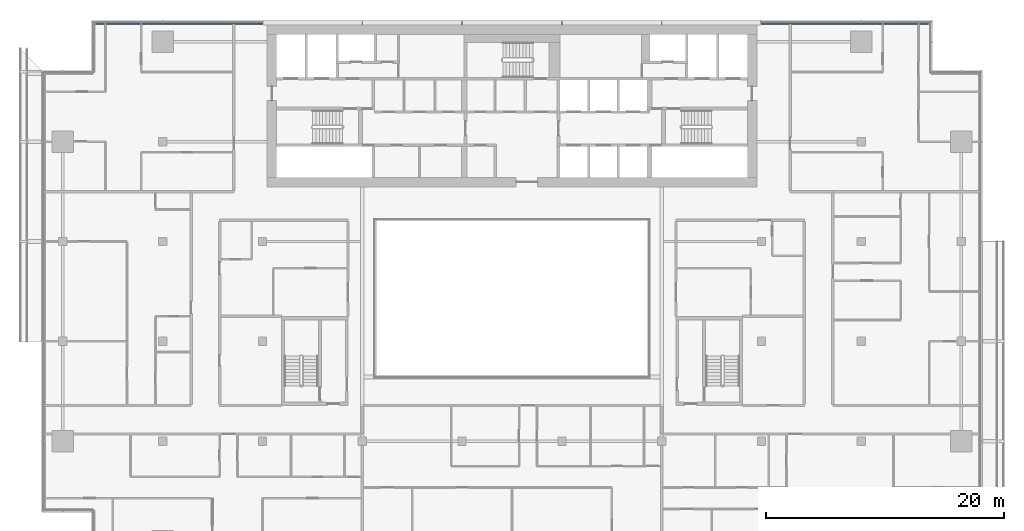
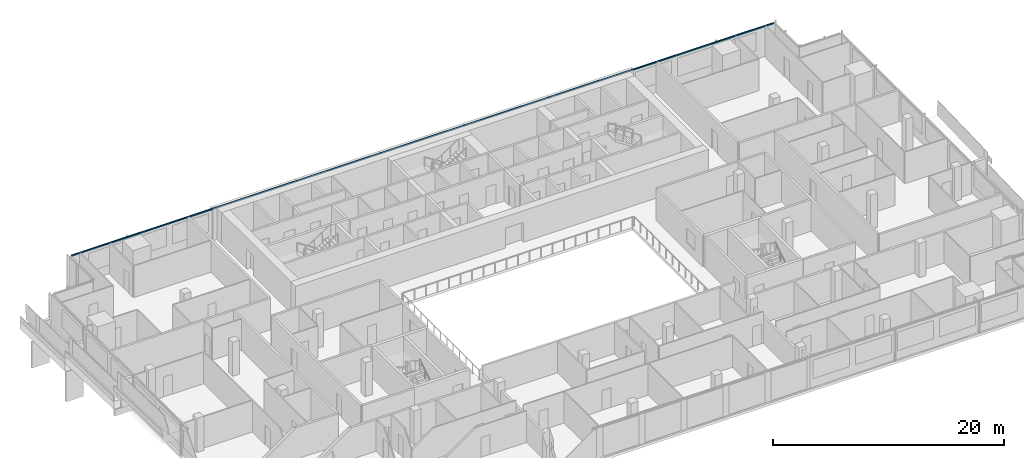
# One storey, part 8 of 27: 1 member, 1 element without a shape of its own.
"""IFC4 building model written with IfcOpenShell, lengths in metres."""

import ifcopenshell
import ifcopenshell.guid

model = None  # the IFC model being written
_history = None  # IfcOwnerHistory: only IFC2X3 demands one
_inside = {}  # id of a spatial element -> (the spatial element, [elements in it])
_under = {}  # id of a project, library or spatial element -> (it, [spatial elements below it])
_declared = {}  # id of a project -> (the project, [libraries it declares])
_typed = {}  # id of a type object -> (the type object, [elements of that type])
_made_of = {}  # id of a material, layer set ... -> (it, [elements and type objects made of it])


def new_model(schema):
    """Start an empty IFC model of exactly this schema.

    Asked for "IFC4X3", IfcOpenShell would pick the latest addendum, in which some entities
    have other attributes; the version numbers below select the first issue.
    IFC2X3 requires an IfcOwnerHistory on every rooted entity: one is made here for all.
    """
    global model, _history
    if schema == "IFC4X3":
        model = ifcopenshell.file(schema_version=(4, 3, 0, 0))
    else:
        model = ifcopenshell.file(schema=schema)
    _inside.clear()
    _under.clear()
    _declared.clear()
    _typed.clear()
    _made_of.clear()
    _history = None
    if model.schema == "IFC2X3":
        org = make("IfcOrganization", Name="unknown")
        user = make(
            "IfcPersonAndOrganization",
            ThePerson=make("IfcPerson", FamilyName="unknown"),
            TheOrganization=org,
        )
        app = make(
            "IfcApplication",
            ApplicationDeveloper=org,
            Version="unknown",
            ApplicationFullName="unknown",
            ApplicationIdentifier="unknown",
        )
        _history = make(
            "IfcOwnerHistory",
            OwningUser=user,
            OwningApplication=app,
            ChangeAction="ADDED",
            CreationDate=0,
        )
    return model


def make(cls, **values):
    """One entity of the class cls with the attributes given. An attribute that is None is left unset."""
    return model.create_entity(
        cls, **{name: value for name, value in values.items() if value is not None}
    )


def rooted(cls, **values):
    """An entity with a GlobalId (a new one), such as an element, a storey or a relation."""
    return make(cls, GlobalId=ifcopenshell.guid.new(), OwnerHistory=_history, **values)


def si_unit(unit_type, name, prefix=None):
    """IfcSIUnit, for example si_unit("LENGTHUNIT", "METRE", prefix="MILLI")."""
    return make("IfcSIUnit", UnitType=unit_type, Prefix=prefix, Name=name)


def assignment(units):
    """IfcUnitAssignment: the units of a project."""
    return None if units is None else make("IfcUnitAssignment", Units=units)


def point(xyz):
    """IfcCartesianPoint."""
    return None if xyz is None else make("IfcCartesianPoint", Coordinates=xyz)


def direction(xyz):
    """IfcDirection."""
    return None if xyz is None else make("IfcDirection", DirectionRatios=xyz)


def frame(location, z_axis=None, x_axis=None):
    """IfcAxis2Placement3D, a coordinate frame: its origin and axes. An axis left out is left unset."""
    return make(
        "IfcAxis2Placement3D",
        Location=point(location),
        Axis=direction(z_axis),
        RefDirection=direction(x_axis),
    )


def frame_2d(location, x_axis=None):
    """IfcAxis2Placement2D, a coordinate frame in the plane: its origin and x axis."""
    return make(
        "IfcAxis2Placement2D", Location=point(location), RefDirection=direction(x_axis)
    )


def origin():
    """The frame at (0, 0, 0) with its axes left unset."""
    return frame((0.0, 0.0, 0.0))


def origin_2d():
    """The frame at (0, 0) in the plane with its x axis left unset."""
    return frame_2d((0.0, 0.0))


def place(relative_to, where):
    """IfcLocalPlacement: puts the frame where relative to a parent placement (None: the world)."""
    return make(
        "IfcLocalPlacement", PlacementRelTo=relative_to, RelativePlacement=where
    )


def context(
    kind, dimensions, precision=None, world=None, true_north=None, identifier=None
):
    """IfcGeometricRepresentationContext, for example the 3D "Model" context."""
    return make(
        "IfcGeometricRepresentationContext",
        ContextIdentifier=identifier,
        ContextType=kind,
        CoordinateSpaceDimension=dimensions,
        Precision=precision,
        WorldCoordinateSystem=world,
        TrueNorth=true_north,
    )


def subcontext(parent, identifier, kind, view, scale=None):
    """IfcGeometricRepresentationSubContext, for example "Body" below "Model"."""
    return make(
        "IfcGeometricRepresentationSubContext",
        ContextIdentifier=identifier,
        ContextType=kind,
        ParentContext=parent,
        TargetScale=scale,
        TargetView=view,
    )


def project(units=None, contexts=None):
    """IfcProject with its units and contexts."""
    return rooted(
        "IfcProject",
        Name="project",
        RepresentationContexts=contexts,
        UnitsInContext=assignment(units),
    )


def spatial(cls, under=None, at=None, **own):
    """A site, building, storey or space (cls), placed at a placement, below another one or the project."""
    s = rooted(cls, ObjectPlacement=at, **own)
    if under is not None:
        _under.setdefault(under.id(), (under, []))[1].append(s)
    return s


def profile(cls, at=None, kind="AREA", **sizes):
    """A parametric profile (cls). Its sizes go by their IFC names, for example OverallWidth=200.0."""
    return make(cls, ProfileType=kind, Position=at, **sizes)


def rectangle(**sizes):
    """IfcRectangleProfileDef."""
    return profile("IfcRectangleProfileDef", **sizes)


def extrude(swept, where, along, depth):
    """IfcExtrudedAreaSolid: the profile swept, set in the frame where, extruded along a direction by depth."""
    return make(
        "IfcExtrudedAreaSolid",
        SweptArea=swept,
        Position=where,
        ExtrudedDirection=direction(along),
        Depth=depth,
    )


def shape(context_of_items, identifier, shape_type, items):
    """IfcShapeRepresentation: the items that make up one representation, for example the "Body"."""
    return make(
        "IfcShapeRepresentation",
        ContextOfItems=context_of_items,
        RepresentationIdentifier=identifier,
        RepresentationType=shape_type,
        Items=items,
    )


def material(Name=None, Category=None):
    """IfcMaterial."""
    return make("IfcMaterial", Name=Name, Category=Category)


def material_profile(
    of_material, cross_section, Name=None, Category=None, Priority=None
):
    """IfcMaterialProfile: a cross section and its material."""
    return make(
        "IfcMaterialProfile",
        Name=Name,
        Material=of_material,
        Profile=cross_section,
        Priority=Priority,
        Category=Category,
    )


def profile_set(profiles, Name=None, composite=None):
    """IfcMaterialProfileSet."""
    return make(
        "IfcMaterialProfileSet",
        Name=Name,
        MaterialProfiles=profiles,
        CompositeProfile=composite,
    )


def made_of(thing, what):
    """Note that an element or type object is made of a material, layer set ...; save() writes the relation."""
    if what is not None:
        _made_of.setdefault(what.id(), (what, []))[1].append(thing)
    return thing


def type_object(cls, material=None, **own):
    """A type object (cls), such as IfcWallType, which elements share."""
    return made_of(rooted(cls, **own), material)


def element(
    cls,
    number,
    at=None,
    inside=None,
    cuts=None,
    type_object=None,
    material=None,
    context=None,
    identifier="Body",
    shape_type=None,
    held_by="IfcProductDefinitionShape",
    body=None,
    shapes=None,
    **own,
):
    """One element of the class cls, such as IfcWall. Its Tag is "e" and its number.

    at: its placement. inside: the storey or other place that contains it. cuts: it is an
    opening in that element (IfcRelVoidsElement). A single representation is given by context,
    identifier, shape_type and body (its items); several are given by shapes. held_by: the class
    of the entity that holds the representations. save() writes the other relations.
    """
    e = rooted(cls, Tag="e%d" % number, ObjectPlacement=at, **own)
    if body is not None:
        shapes = [shape(context, identifier, shape_type, body)]
    if shapes is not None:
        e.Representation = make(held_by, Representations=shapes)
    if inside is not None:
        _inside.setdefault(inside.id(), (inside, []))[1].append(e)
    if cuts is not None:
        rooted(
            "IfcRelVoidsElement", RelatingBuildingElement=cuts, RelatedOpeningElement=e
        )
    if type_object is not None:
        _typed.setdefault(type_object.id(), (type_object, []))[1].append(e)
    return made_of(e, material)


def aggregate(whole, parts):
    """IfcRelAggregates: a whole, such as a stair, and the parts it consists of."""
    return rooted("IfcRelAggregates", RelatingObject=whole, RelatedObjects=parts)


def save(model, path):
    """Write the relations noted so far, then the file.

    IfcRelAggregates (storeys below a building ...), IfcRelContainedInSpatialStructure (elements
    in a storey), IfcRelDefinesByType, IfcRelAssociatesMaterial and IfcRelDeclares: one each for
    every whole, place, type object, material and project.
    """
    for whole, parts in _under.values():
        aggregate(whole, parts)
    for where, things in _inside.values():
        rooted(
            "IfcRelContainedInSpatialStructure",
            RelatedElements=things,
            RelatingStructure=where,
        )
    for kind, things in _typed.values():
        rooted("IfcRelDefinesByType", RelatedObjects=things, RelatingType=kind)
    for what, things in _made_of.values():
        rooted("IfcRelAssociatesMaterial", RelatedObjects=things, RelatingMaterial=what)
    for by, libraries in _declared.values():
        rooted("IfcRelDeclares", RelatingContext=by, RelatedDefinitions=libraries)
    model.write(path)


model = new_model("IFC4")

# Units and contexts
model_context = context("Model", 3, precision=1e-05, world=origin(), true_north=direction((0.0, 1.0)))
body_context = subcontext(model_context, "Body", "Model", "MODEL_VIEW")
ifc_project = project(units=[si_unit("LENGTHUNIT", "METRE"), si_unit("AREAUNIT", "SQUARE_METRE"), si_unit("VOLUMEUNIT", "CUBIC_METRE"), si_unit("PLANEANGLEUNIT", "RADIAN"), si_unit("MASSUNIT", "GRAM", prefix="KILO")], contexts=[model_context])

# Site, building, storey
site_placement = place(None, origin())
site = spatial("IfcSite", under=ifc_project, at=site_placement, CompositionType="ELEMENT")
building_placement = place(site_placement, origin())
building = spatial("IfcBuilding", under=site, at=building_placement, Name="Saffron Gate Tower", CompositionType="ELEMENT")
storey_placement = place(building_placement, frame((0.0, 0.0, 183.449951171875)))
storey = spatial("IfcBuildingStorey", under=building, at=storey_placement, Name="L45", CompositionType="ELEMENT", Elevation=183.449951171875)

# Curtain wall, member
ifc_material = material(Name="Aluminium, bronze anodised", Category="aluminium")
curtain_wall_type = type_object("IfcCurtainWallType", Name="CWS3 curtain wall rear facade", PredefinedType="NOTDEFINED", material=ifc_material)
curtain_wall_placement = place(storey_placement, origin())
curtain_wall = element("IfcCurtainWall", 1, at=curtain_wall_placement, inside=storey, type_object=curtain_wall_type, Name="CWS3 run 7", PredefinedType="NOTDEFINED")
ifc_material_profile = material_profile(ifc_material, rectangle(XDim=0.1201171875, YDim=0.1201171875, at=origin_2d()))
ifc_profile_set = profile_set([ifc_material_profile], Name="Aluminium, bronze anodised")
member_type = type_object("IfcMemberType", Name="CWS3 head transom", PredefinedType="USERDEFINED", material=ifc_profile_set)
member_placement = place(storey_placement, frame((122.632080078125, 75.35205078125, 3.260009765625), z_axis=(-1.0, 0.0, 0.0), x_axis=(0.0, -1.0, 0.0)))
member = element("IfcMember", 2, at=member_placement, type_object=member_type, Name="CWS3 head transom", ObjectType="TRANSOM", PredefinedType="USERDEFINED", context=body_context, shape_type="SweptSolid", body=[
    extrude(rectangle(XDim=0.1201171875, YDim=0.1201171875, at=origin_2d()), origin(), (0.0, 0.0, 1.0), 70.06396484375),
])
aggregate(curtain_wall, [member])

save(model, "model.ifc")
